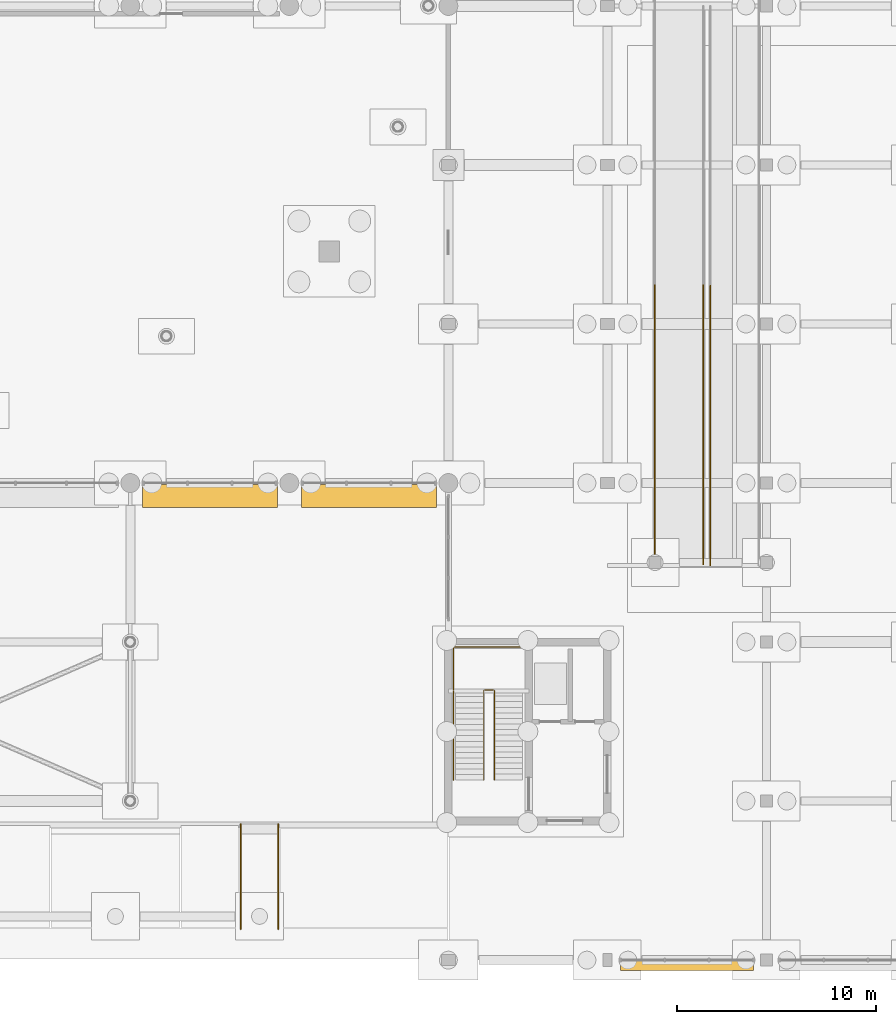
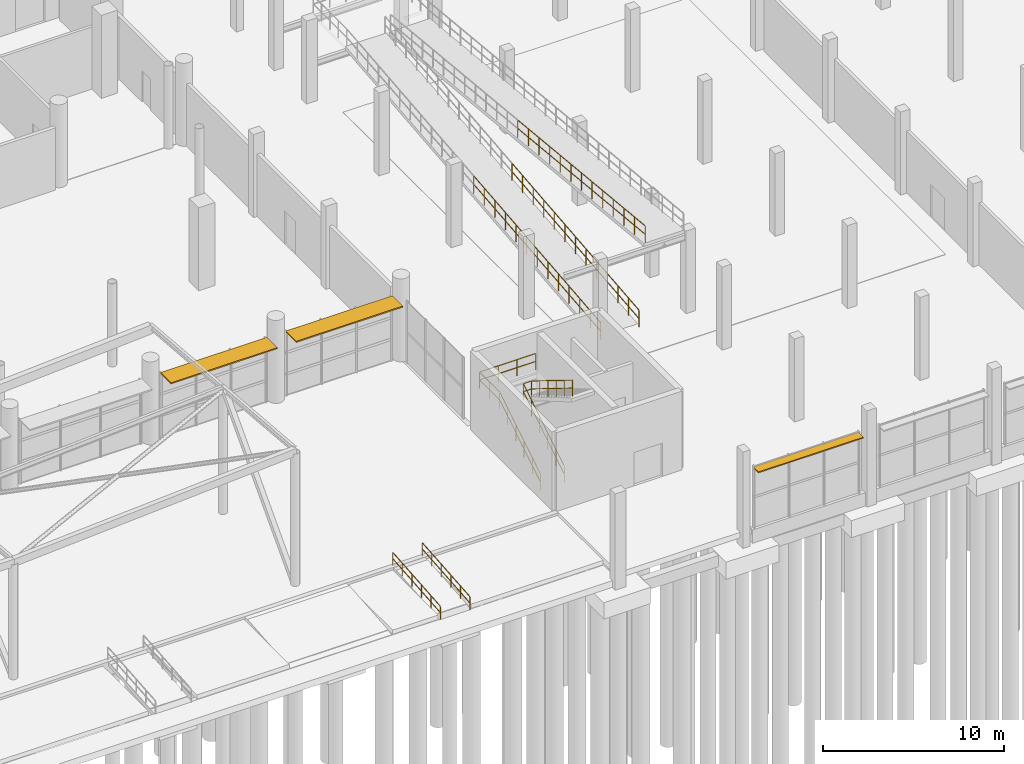
# One storey, part 93 of 98: 7 railings, 3 shading devices.
"""IFC4 building model written with IfcOpenShell, lengths in metres."""

from ifc_helpers import new_model, si_unit, derived_unit, direction, frame, origin, origin_2d, place, context, subcontext, project, spatial, rectangle, circle, extrude, material, material_profile, profile_set, type_object, element, save


model = new_model("IFC4")

# Units and contexts
model_context = context("Model", 3, precision=1e-05, world=origin(), true_north=direction((0.0, 1.0)))
body_context = subcontext(model_context, "Body", "Model", "MODEL_VIEW")
ifc_project = project(units=[si_unit("LENGTHUNIT", "METRE"), si_unit("AREAUNIT", "SQUARE_METRE"), si_unit("VOLUMEUNIT", "CUBIC_METRE"), si_unit("PLANEANGLEUNIT", "RADIAN"), si_unit("MASSUNIT", "GRAM", prefix="KILO"), si_unit("THERMODYNAMICTEMPERATUREUNIT", "KELVIN"), derived_unit("THERMALTRANSMITTANCEUNIT", [(si_unit("POWERUNIT", "WATT"), 1), (si_unit("AREAUNIT", "SQUARE_METRE"), -1), (si_unit("THERMODYNAMICTEMPERATUREUNIT", "KELVIN"), -1)])], contexts=[model_context])

# Site, building, storey
site_placement = place(None, origin())
site = spatial("IfcSite", under=ifc_project, at=site_placement, CompositionType="ELEMENT")
building_placement = place(site_placement, origin())
building = spatial("IfcBuilding", under=site, at=building_placement, Name="Haiyu Intermodal Mobility Hub", CompositionType="ELEMENT")
storey_placement = place(building_placement, origin())
storey = spatial("IfcBuildingStorey", under=building, at=storey_placement, Name="L00", CompositionType="ELEMENT", Elevation=0.0)

# Railings
ifc_material_1 = material(Name="Steel Q355C", Category="steel")
railing_type_1 = type_object("IfcRailingType", Name="RAL-GR03", PredefinedType="GUARDRAIL", material=ifc_material_1)
railing_1_placement = place(storey_placement, frame((164.3798828125, 35.89990234375, 0.0)))
element("IfcRailing", 1, at=railing_1_placement, inside=storey, type_object=railing_type_1, Name="RAL-RMP-BIKE-L00-F1WA", PredefinedType="GUARDRAIL", context=body_context, shape_type="SweptSolid", body=[
    extrude(circle(Radius=0.02392578125, at=origin_2d()), frame((0.0, 0.02978515625, 1.158935546875), z_axis=(0.0, 0.99507290602, 0.099145911191), x_axis=(-1.0, 0.0, 0.0)), (0.0, 0.0, 1.0), 14.0595703125),
    extrude(circle(Radius=0.02392578125, at=origin_2d()), frame((0.0, 0.037109375, 0.59375), z_axis=(0.0, 0.99507290602, 0.099145911191), x_axis=(-1.0, 0.0, 0.0)), (0.0, 0.0, 1.0), 1.10205078125),
    extrude(circle(Radius=0.02392578125, at=origin_2d()), frame((0.0, 1.2080078125, 0.710205078125), z_axis=(0.0, 0.99507290602, 0.099145911191), x_axis=(-1.0, 0.0, 0.0)), (0.0, 0.0, 1.0), 1.10205078125),
    extrude(circle(Radius=0.02392578125, at=origin_2d()), frame((0.0, 2.37890625, 0.826904296875), z_axis=(0.0, 0.99507290602, 0.099145911191), x_axis=(-1.0, 0.0, 0.0)), (0.0, 0.0, 1.0), 1.10205078125),
    extrude(circle(Radius=0.02392578125, at=origin_2d()), frame((0.0, 3.549560546875, 0.943603515625), z_axis=(0.0, 0.99507290602, 0.099145911191), x_axis=(-1.0, 0.0, 0.0)), (0.0, 0.0, 1.0), 1.10205078125),
    extrude(circle(Radius=0.02392578125, at=origin_2d()), frame((0.0, 4.720458984375, 1.060302734375), z_axis=(0.0, 0.99507290602, 0.099145911191), x_axis=(-1.0, 0.0, 0.0)), (0.0, 0.0, 1.0), 1.10205078125),
    extrude(circle(Radius=0.02392578125, at=origin_2d()), frame((0.0, 5.891357421875, 1.177001953125), z_axis=(0.0, 0.99507290602, 0.099145911191), x_axis=(-1.0, 0.0, 0.0)), (0.0, 0.0, 1.0), 1.10205078125),
    extrude(circle(Radius=0.02392578125, at=origin_2d()), frame((0.0, 7.062255859375, 1.293701171875), z_axis=(0.0, 0.99507290602, 0.099145911191), x_axis=(-1.0, 0.0, 0.0)), (0.0, 0.0, 1.0), 1.10205078125),
    extrude(circle(Radius=0.02392578125, at=origin_2d()), frame((0.0, 8.23291015625, 1.41015625), z_axis=(0.0, 0.99507290602, 0.099145911191), x_axis=(-1.0, 0.0, 0.0)), (0.0, 0.0, 1.0), 1.10205078125),
    extrude(circle(Radius=0.02392578125, at=origin_2d()), frame((0.0, 9.40380859375, 1.52685546875), z_axis=(0.0, 0.99507290602, 0.099145911191), x_axis=(-1.0, 0.0, 0.0)), (0.0, 0.0, 1.0), 1.10205078125),
    extrude(circle(Radius=0.02392578125, at=origin_2d()), frame((0.0, 10.57470703125, 1.6435546875), z_axis=(0.0, 0.99507290602, 0.099145911191), x_axis=(-1.0, 0.0, 0.0)), (0.0, 0.0, 1.0), 1.10205078125),
    extrude(circle(Radius=0.02392578125, at=origin_2d()), frame((0.0, 11.74560546875, 1.76025390625), z_axis=(0.0, 0.99507290602, 0.099145911191), x_axis=(-1.0, 0.0, 0.0)), (0.0, 0.0, 1.0), 1.10205078125),
    extrude(circle(Radius=0.02392578125, at=origin_2d()), frame((0.0, 12.916259765625, 1.876953125), z_axis=(0.0, 0.99507290602, 0.099145911191), x_axis=(-1.0, 0.0, 0.0)), (0.0, 0.0, 1.0), 1.10205078125),
    extrude(circle(Radius=0.02099609375, at=origin_2d()), origin(), (0.0, 0.0, 1.0), 1.123779296875),
    extrude(circle(Radius=0.02099609375, at=origin_2d()), frame((0.0, 1.1708984375, 0.11669921875)), (0.0, 0.0, 1.0), 1.123779296875),
    extrude(circle(Radius=0.02099609375, at=origin_2d()), frame((0.0, 2.341796875, 0.2333984375)), (0.0, 0.0, 1.0), 1.123779296875),
    extrude(circle(Radius=0.02099609375, at=origin_2d()), frame((0.0, 3.512451171875, 0.35009765625)), (0.0, 0.0, 1.0), 1.123779296875),
    extrude(circle(Radius=0.02099609375, at=origin_2d()), frame((0.0, 4.683349609375, 0.466552734375)), (0.0, 0.0, 1.0), 1.123779296875),
    extrude(circle(Radius=0.02099609375, at=origin_2d()), frame((0.0, 5.854248046875, 0.583251953125)), (0.0, 0.0, 1.0), 1.123779296875),
    extrude(circle(Radius=0.02099609375, at=origin_2d()), frame((0.0, 7.02490234375, 0.699951171875)), (0.0, 0.0, 1.0), 1.123779296875),
    extrude(circle(Radius=0.02099609375, at=origin_2d()), frame((0.0, 8.19580078125, 0.816650390625)), (0.0, 0.0, 1.0), 1.123779296875),
    extrude(circle(Radius=0.02099609375, at=origin_2d()), frame((0.0, 9.36669921875, 0.933349609375)), (0.0, 0.0, 1.0), 1.123779296875),
    extrude(circle(Radius=0.02099609375, at=origin_2d()), frame((0.0, 10.53759765625, 1.0498046875)), (0.0, 0.0, 1.0), 1.123779296875),
    extrude(circle(Radius=0.02099609375, at=origin_2d()), frame((0.0, 11.70849609375, 1.16650390625)), (0.0, 0.0, 1.0), 1.123779296875),
    extrude(circle(Radius=0.02099609375, at=origin_2d()), frame((0.0, 12.879150390625, 1.283203125)), (0.0, 0.0, 1.0), 1.123779296875),
    extrude(circle(Radius=0.02099609375, at=origin_2d()), frame((0.0, 14.050048828125, 1.39990234375)), (0.0, 0.0, 1.0), 1.123779296875),
])
railing_2_placement = place(storey_placement, frame((166.820068359375, 35.89990234375, 0.0)))
element("IfcRailing", 2, at=railing_2_placement, inside=storey, type_object=railing_type_1, Name="RAL-RMP-BIKE-L00-F1EA", PredefinedType="GUARDRAIL", context=body_context, shape_type="SweptSolid", body=[
    extrude(circle(Radius=0.02392578125, at=origin_2d()), frame((0.0, 0.02978515625, 1.158935546875), z_axis=(0.0, 0.99507290602, 0.099145911191), x_axis=(-1.0, 0.0, 0.0)), (0.0, 0.0, 1.0), 14.0595703125),
    extrude(circle(Radius=0.02392578125, at=origin_2d()), frame((0.0, 0.037109375, 0.59375), z_axis=(0.0, 0.99507290602, 0.099145911191), x_axis=(-1.0, 0.0, 0.0)), (0.0, 0.0, 1.0), 1.10205078125),
    extrude(circle(Radius=0.02392578125, at=origin_2d()), frame((0.0, 1.2080078125, 0.710205078125), z_axis=(0.0, 0.99507290602, 0.099145911191), x_axis=(-1.0, 0.0, 0.0)), (0.0, 0.0, 1.0), 1.10205078125),
    extrude(circle(Radius=0.02392578125, at=origin_2d()), frame((0.0, 2.37890625, 0.826904296875), z_axis=(0.0, 0.99507290602, 0.099145911191), x_axis=(-1.0, 0.0, 0.0)), (0.0, 0.0, 1.0), 1.10205078125),
    extrude(circle(Radius=0.02392578125, at=origin_2d()), frame((0.0, 3.549560546875, 0.943603515625), z_axis=(0.0, 0.99507290602, 0.099145911191), x_axis=(-1.0, 0.0, 0.0)), (0.0, 0.0, 1.0), 1.10205078125),
    extrude(circle(Radius=0.02392578125, at=origin_2d()), frame((0.0, 4.720458984375, 1.060302734375), z_axis=(0.0, 0.99507290602, 0.099145911191), x_axis=(-1.0, 0.0, 0.0)), (0.0, 0.0, 1.0), 1.10205078125),
    extrude(circle(Radius=0.02392578125, at=origin_2d()), frame((0.0, 5.891357421875, 1.177001953125), z_axis=(0.0, 0.99507290602, 0.099145911191), x_axis=(-1.0, 0.0, 0.0)), (0.0, 0.0, 1.0), 1.10205078125),
    extrude(circle(Radius=0.02392578125, at=origin_2d()), frame((0.0, 7.062255859375, 1.293701171875), z_axis=(0.0, 0.99507290602, 0.099145911191), x_axis=(-1.0, 0.0, 0.0)), (0.0, 0.0, 1.0), 1.10205078125),
    extrude(circle(Radius=0.02392578125, at=origin_2d()), frame((0.0, 8.23291015625, 1.41015625), z_axis=(0.0, 0.99507290602, 0.099145911191), x_axis=(-1.0, 0.0, 0.0)), (0.0, 0.0, 1.0), 1.10205078125),
    extrude(circle(Radius=0.02392578125, at=origin_2d()), frame((0.0, 9.40380859375, 1.52685546875), z_axis=(0.0, 0.99507290602, 0.099145911191), x_axis=(-1.0, 0.0, 0.0)), (0.0, 0.0, 1.0), 1.10205078125),
    extrude(circle(Radius=0.02392578125, at=origin_2d()), frame((0.0, 10.57470703125, 1.6435546875), z_axis=(0.0, 0.99507290602, 0.099145911191), x_axis=(-1.0, 0.0, 0.0)), (0.0, 0.0, 1.0), 1.10205078125),
    extrude(circle(Radius=0.02392578125, at=origin_2d()), frame((0.0, 11.74560546875, 1.76025390625), z_axis=(0.0, 0.99507290602, 0.099145911191), x_axis=(-1.0, 0.0, 0.0)), (0.0, 0.0, 1.0), 1.10205078125),
    extrude(circle(Radius=0.02392578125, at=origin_2d()), frame((0.0, 12.916259765625, 1.876953125), z_axis=(0.0, 0.99507290602, 0.099145911191), x_axis=(-1.0, 0.0, 0.0)), (0.0, 0.0, 1.0), 1.10205078125),
    extrude(circle(Radius=0.02099609375, at=origin_2d()), origin(), (0.0, 0.0, 1.0), 1.123779296875),
    extrude(circle(Radius=0.02099609375, at=origin_2d()), frame((0.0, 1.1708984375, 0.11669921875)), (0.0, 0.0, 1.0), 1.123779296875),
    extrude(circle(Radius=0.02099609375, at=origin_2d()), frame((0.0, 2.341796875, 0.2333984375)), (0.0, 0.0, 1.0), 1.123779296875),
    extrude(circle(Radius=0.02099609375, at=origin_2d()), frame((0.0, 3.512451171875, 0.35009765625)), (0.0, 0.0, 1.0), 1.123779296875),
    extrude(circle(Radius=0.02099609375, at=origin_2d()), frame((0.0, 4.683349609375, 0.466552734375)), (0.0, 0.0, 1.0), 1.123779296875),
    extrude(circle(Radius=0.02099609375, at=origin_2d()), frame((0.0, 5.854248046875, 0.583251953125)), (0.0, 0.0, 1.0), 1.123779296875),
    extrude(circle(Radius=0.02099609375, at=origin_2d()), frame((0.0, 7.02490234375, 0.699951171875)), (0.0, 0.0, 1.0), 1.123779296875),
    extrude(circle(Radius=0.02099609375, at=origin_2d()), frame((0.0, 8.19580078125, 0.816650390625)), (0.0, 0.0, 1.0), 1.123779296875),
    extrude(circle(Radius=0.02099609375, at=origin_2d()), frame((0.0, 9.36669921875, 0.933349609375)), (0.0, 0.0, 1.0), 1.123779296875),
    extrude(circle(Radius=0.02099609375, at=origin_2d()), frame((0.0, 10.53759765625, 1.0498046875)), (0.0, 0.0, 1.0), 1.123779296875),
    extrude(circle(Radius=0.02099609375, at=origin_2d()), frame((0.0, 11.70849609375, 1.16650390625)), (0.0, 0.0, 1.0), 1.123779296875),
    extrude(circle(Radius=0.02099609375, at=origin_2d()), frame((0.0, 12.879150390625, 1.283203125)), (0.0, 0.0, 1.0), 1.123779296875),
    extrude(circle(Radius=0.02099609375, at=origin_2d()), frame((0.0, 14.050048828125, 1.39990234375)), (0.0, 0.0, 1.0), 1.123779296875),
])
railing_3_placement = place(storey_placement, frame((167.179931640625, 49.925048828125, 4.199951171875)))
element("IfcRailing", 3, at=railing_3_placement, inside=storey, type_object=railing_type_1, Name="RAL-RMP-BIKE-L00-F2WB", PredefinedType="GUARDRAIL", context=body_context, shape_type="SweptSolid", body=[
    extrude(circle(Radius=0.02392578125, at=origin_2d()), frame((0.0, -0.02978515625, 1.158935546875), z_axis=(0.0, -0.995088497131, 0.098989306882), x_axis=(1.0, 0.0, 0.0)), (0.0, 0.0, 1.0), 14.08447265625),
    extrude(circle(Radius=0.02392578125, at=origin_2d()), frame((0.0, -0.037109375, 0.59375), z_axis=(0.0, -0.995088497131, 0.098989306882), x_axis=(1.0, 0.0, 0.0)), (0.0, 0.0, 1.0), 1.10400390625),
    extrude(circle(Radius=0.02392578125, at=origin_2d()), frame((0.0, -1.2099609375, 0.71044921875), z_axis=(0.0, -0.995088497131, 0.098989306882), x_axis=(1.0, 0.0, 0.0)), (0.0, 0.0, 1.0), 1.10400390625),
    extrude(circle(Radius=0.02392578125, at=origin_2d()), frame((0.0, -2.383056640625, 0.826904296875), z_axis=(0.0, -0.995088497131, 0.098989306882), x_axis=(1.0, 0.0, 0.0)), (0.0, 0.0, 1.0), 1.10400390625),
    extrude(circle(Radius=0.02392578125, at=origin_2d()), frame((0.0, -3.555908203125, 0.943603515625), z_axis=(0.0, -0.995088497131, 0.098989306882), x_axis=(1.0, 0.0, 0.0)), (0.0, 0.0, 1.0), 1.10400390625),
    extrude(circle(Radius=0.02392578125, at=origin_2d()), frame((0.0, -4.728759765625, 1.060302734375), z_axis=(0.0, -0.995088497131, 0.098989306882), x_axis=(1.0, 0.0, 0.0)), (0.0, 0.0, 1.0), 1.10400390625),
    extrude(circle(Radius=0.02392578125, at=origin_2d()), frame((0.0, -5.901611328125, 1.177001953125), z_axis=(0.0, -0.995088497131, 0.098989306882), x_axis=(1.0, 0.0, 0.0)), (0.0, 0.0, 1.0), 1.10400390625),
    extrude(circle(Radius=0.02392578125, at=origin_2d()), frame((0.0, -7.07470703125, 1.293701171875), z_axis=(0.0, -0.995088497131, 0.098989306882), x_axis=(1.0, 0.0, 0.0)), (0.0, 0.0, 1.0), 1.10400390625),
    extrude(circle(Radius=0.02392578125, at=origin_2d()), frame((0.0, -8.24755859375, 1.410400390625), z_axis=(0.0, -0.995088497131, 0.098989306882), x_axis=(1.0, 0.0, 0.0)), (0.0, 0.0, 1.0), 1.10400390625),
    extrude(circle(Radius=0.02392578125, at=origin_2d()), frame((0.0, -9.42041015625, 1.527099609375), z_axis=(0.0, -0.995088497131, 0.098989306882), x_axis=(1.0, 0.0, 0.0)), (0.0, 0.0, 1.0), 1.10400390625),
    extrude(circle(Radius=0.02392578125, at=origin_2d()), frame((0.0, -10.59326171875, 1.643798828125), z_axis=(0.0, -0.995088497131, 0.098989306882), x_axis=(1.0, 0.0, 0.0)), (0.0, 0.0, 1.0), 1.10400390625),
    extrude(circle(Radius=0.02392578125, at=origin_2d()), frame((0.0, -11.766357421875, 1.760498046875), z_axis=(0.0, -0.995088497131, 0.098989306882), x_axis=(1.0, 0.0, 0.0)), (0.0, 0.0, 1.0), 1.10400390625),
    extrude(circle(Radius=0.02392578125, at=origin_2d()), frame((0.0, -12.939208984375, 1.877197265625), z_axis=(0.0, -0.995088497131, 0.098989306882), x_axis=(1.0, 0.0, 0.0)), (0.0, 0.0, 1.0), 1.10400390625),
    extrude(circle(Radius=0.02099609375, at=origin_2d()), origin(), (0.0, 0.0, 1.0), 1.123779296875),
    extrude(circle(Radius=0.02099609375, at=origin_2d()), frame((0.0, -1.1728515625, 0.11669921875)), (0.0, 0.0, 1.0), 1.123779296875),
    extrude(circle(Radius=0.02099609375, at=origin_2d()), frame((0.0, -2.345703125, 0.2333984375)), (0.0, 0.0, 1.0), 1.123779296875),
    extrude(circle(Radius=0.02099609375, at=origin_2d()), frame((0.0, -3.518798828125, 0.35009765625)), (0.0, 0.0, 1.0), 1.123779296875),
    extrude(circle(Radius=0.02099609375, at=origin_2d()), frame((0.0, -4.691650390625, 0.466796875)), (0.0, 0.0, 1.0), 1.123779296875),
    extrude(circle(Radius=0.02099609375, at=origin_2d()), frame((0.0, -5.864501953125, 0.58349609375)), (0.0, 0.0, 1.0), 1.123779296875),
    extrude(circle(Radius=0.02099609375, at=origin_2d()), frame((0.0, -7.03759765625, 0.7001953125)), (0.0, 0.0, 1.0), 1.123779296875),
    extrude(circle(Radius=0.02099609375, at=origin_2d()), frame((0.0, -8.21044921875, 0.816650390625)), (0.0, 0.0, 1.0), 1.123779296875),
    extrude(circle(Radius=0.02099609375, at=origin_2d()), frame((0.0, -9.38330078125, 0.933349609375)), (0.0, 0.0, 1.0), 1.123779296875),
    extrude(circle(Radius=0.02099609375, at=origin_2d()), frame((0.0, -10.55615234375, 1.050048828125)), (0.0, 0.0, 1.0), 1.123779296875),
    extrude(circle(Radius=0.02099609375, at=origin_2d()), frame((0.0, -11.72900390625, 1.166748046875)), (0.0, 0.0, 1.0), 1.123779296875),
    extrude(circle(Radius=0.02099609375, at=origin_2d()), frame((0.0, -12.902099609375, 1.283447265625)), (0.0, 0.0, 1.0), 1.123779296875),
    extrude(circle(Radius=0.02099609375, at=origin_2d()), frame((0.0, -14.074951171875, 1.400146484375)), (0.0, 0.0, 1.0), 1.123779296875),
])
railing_4_placement = place(storey_placement, frame((155.780029296875, 25.050048828125, 0.0)))
element("IfcRailing", 4, at=railing_4_placement, inside=storey, type_object=railing_type_1, Name="Stair Well Guard STR-C8-L00", PredefinedType="GUARDRAIL", context=body_context, shape_type="SweptSolid", body=[
    extrude(circle(Radius=0.02392578125, at=origin_2d()), frame((0.0, 0.025634765625, 1.11181640625), z_axis=(0.0, 0.850622528264, 0.525776867511), x_axis=(-1.0, 0.0, 0.0)), (0.0, 0.0, 1.0), 5.265625),
    extrude(circle(Radius=0.02392578125, at=origin_2d()), frame((0.0, 0.03173828125, 0.57958984375), z_axis=(0.0, 0.850622528264, 0.525776867511), x_axis=(-1.0, 0.0, 0.0)), (0.0, 0.0, 1.0), 0.990478515625),
    extrude(circle(Radius=0.02392578125, at=origin_2d()), frame((0.0, 0.937744140625, 1.1396484375), z_axis=(0.0, 0.850622528264, 0.525776867511), x_axis=(-1.0, 0.0, 0.0)), (0.0, 0.0, 1.0), 0.990478515625),
    extrude(circle(Radius=0.02392578125, at=origin_2d()), frame((0.0, 1.84375, 1.69970703125), z_axis=(0.0, 0.850622528264, 0.525776867511), x_axis=(-1.0, 0.0, 0.0)), (0.0, 0.0, 1.0), 0.990478515625),
    extrude(circle(Radius=0.02392578125, at=origin_2d()), frame((0.0, 2.749755859375, 2.259765625), z_axis=(0.0, 0.850622528264, 0.525776867511), x_axis=(-1.0, 0.0, 0.0)), (0.0, 0.0, 1.0), 0.990478515625),
    extrude(circle(Radius=0.02392578125, at=origin_2d()), frame((0.0, 3.65576171875, 2.81982421875), z_axis=(0.0, 0.850622528264, 0.525776867511), x_axis=(-1.0, 0.0, 0.0)), (0.0, 0.0, 1.0), 0.990478515625),
    extrude(circle(Radius=0.02392578125, at=origin_2d()), frame((0.030029296875, 4.530029296875, 3.89599609375), z_axis=(1.0, 0.0, 0.0), x_axis=(0.0, 1.0, 0.0)), (0.0, 0.0, 1.0), 0.469970703125),
    extrude(circle(Radius=0.02392578125, at=origin_2d()), frame((0.037353515625, 4.530029296875, 3.360107421875), z_axis=(1.0, 0.0, 0.0), x_axis=(0.0, 1.0, 0.0)), (0.0, 0.0, 1.0), 0.455322265625),
    extrude(circle(Radius=0.02392578125, at=origin_2d()), frame((0.530029296875, 4.50439453125, 3.911865234375), z_axis=(0.0, -0.850622528264, 0.525776867511), x_axis=(1.0, 0.0, 0.0)), (0.0, 0.0, 1.0), 5.265625),
    extrude(circle(Radius=0.02392578125, at=origin_2d()), frame((0.530029296875, 4.498291015625, 3.379638671875), z_axis=(0.0, -0.850622528264, 0.525776867511), x_axis=(1.0, 0.0, 0.0)), (0.0, 0.0, 1.0), 0.990478515625),
    extrude(circle(Radius=0.02392578125, at=origin_2d()), frame((0.530029296875, 3.59228515625, 3.939697265625), z_axis=(0.0, -0.850622528264, 0.525776867511), x_axis=(1.0, 0.0, 0.0)), (0.0, 0.0, 1.0), 0.990478515625),
    extrude(circle(Radius=0.02392578125, at=origin_2d()), frame((0.530029296875, 2.686279296875, 4.499755859375), z_axis=(0.0, -0.850622528264, 0.525776867511), x_axis=(1.0, 0.0, 0.0)), (0.0, 0.0, 1.0), 0.990478515625),
    extrude(circle(Radius=0.02392578125, at=origin_2d()), frame((0.530029296875, 1.7802734375, 5.059814453125), z_axis=(0.0, -0.850622528264, 0.525776867511), x_axis=(1.0, 0.0, 0.0)), (0.0, 0.0, 1.0), 0.990478515625),
    extrude(circle(Radius=0.02392578125, at=origin_2d()), frame((0.530029296875, 0.874267578125, 5.619873046875), z_axis=(0.0, -0.850622528264, 0.525776867511), x_axis=(1.0, 0.0, 0.0)), (0.0, 0.0, 1.0), 0.990478515625),
    extrude(circle(Radius=0.02099609375, at=origin_2d()), origin(), (0.0, 0.0, 1.0), 1.06396484375),
    extrude(circle(Radius=0.02099609375, at=origin_2d()), frame((0.0, 0.906005859375, 0.56005859375)), (0.0, 0.0, 1.0), 1.06396484375),
    extrude(circle(Radius=0.02099609375, at=origin_2d()), frame((0.0, 1.81201171875, 1.1201171875)), (0.0, 0.0, 1.0), 1.06396484375),
    extrude(circle(Radius=0.02099609375, at=origin_2d()), frame((0.0, 2.718017578125, 1.679931640625)), (0.0, 0.0, 1.0), 1.06396484375),
    extrude(circle(Radius=0.02099609375, at=origin_2d()), frame((0.0, 3.6240234375, 2.239990234375)), (0.0, 0.0, 1.0), 1.06396484375),
    extrude(circle(Radius=0.02099609375, at=origin_2d()), frame((0.0, 4.530029296875, 2.800048828125)), (0.0, 0.0, 1.0), 1.06396484375),
    extrude(circle(Radius=0.02099609375, at=origin_2d()), frame((0.530029296875, 4.530029296875, 2.800048828125)), (0.0, 0.0, 1.0), 1.06396484375),
    extrude(circle(Radius=0.02099609375, at=origin_2d()), frame((0.530029296875, 3.6240234375, 3.360107421875)), (0.0, 0.0, 1.0), 1.06396484375),
    extrude(circle(Radius=0.02099609375, at=origin_2d()), frame((0.530029296875, 2.718017578125, 3.920166015625)), (0.0, 0.0, 1.0), 1.06396484375),
    extrude(circle(Radius=0.02099609375, at=origin_2d()), frame((0.530029296875, 1.81201171875, 4.47998046875)), (0.0, 0.0, 1.0), 1.06396484375),
    extrude(circle(Radius=0.02099609375, at=origin_2d()), frame((0.530029296875, 0.906005859375, 5.0400390625)), (0.0, 0.0, 1.0), 1.06396484375),
    extrude(circle(Radius=0.02099609375, at=origin_2d()), frame((0.530029296875, 0.0, 5.60009765625)), (0.0, 0.0, 1.0), 1.06396484375),
])
railing_5_placement = place(storey_placement, frame((154.25, 25.050048828125, 0.0)))
element("IfcRailing", 5, at=railing_5_placement, inside=storey, type_object=railing_type_1, Name="Stair Outer Guard STR-C8-L00", PredefinedType="GUARDRAIL", context=body_context, shape_type="SweptSolid", body=[
    extrude(circle(Radius=0.02392578125, at=origin_2d()), frame((0.0, 0.025390625, 1.112060546875), z_axis=(0.0, 0.847993111587, 0.530007247782), x_axis=(-1.0, 0.0, 0.0)), (0.0, 0.0, 1.0), 5.22314453125),
    extrude(circle(Radius=0.02392578125, at=origin_2d()), frame((0.0, 0.03173828125, 0.579833984375), z_axis=(0.0, 0.847993111587, 0.530007247782), x_axis=(-1.0, 0.0, 0.0)), (0.0, 0.0, 1.0), 0.98193359375),
    extrude(circle(Radius=0.02392578125, at=origin_2d()), frame((0.0, 0.927734375, 1.139892578125), z_axis=(0.0, 0.847993111587, 0.530007247782), x_axis=(-1.0, 0.0, 0.0)), (0.0, 0.0, 1.0), 0.98193359375),
    extrude(circle(Radius=0.02392578125, at=origin_2d()), frame((0.0, 1.82373046875, 1.699951171875), z_axis=(0.0, 0.847993111587, 0.530007247782), x_axis=(-1.0, 0.0, 0.0)), (0.0, 0.0, 1.0), 0.98193359375),
    extrude(circle(Radius=0.02392578125, at=origin_2d()), frame((0.0, 2.7197265625, 2.259765625), z_axis=(0.0, 0.847993111587, 0.530007247782), x_axis=(-1.0, 0.0, 0.0)), (0.0, 0.0, 1.0), 0.98193359375),
    extrude(circle(Radius=0.02392578125, at=origin_2d()), frame((0.0, 3.61572265625, 2.81982421875), z_axis=(0.0, 0.847993111587, 0.530007247782), x_axis=(-1.0, 0.0, 0.0)), (0.0, 0.0, 1.0), 0.98193359375),
    extrude(circle(Radius=0.02392578125, at=origin_2d()), frame((0.0, 4.510009765625, 3.89599609375), z_axis=(0.0, 1.0, 0.0), x_axis=(-1.0, 0.0, 0.0)), (0.0, 0.0, 1.0), 2.169921875),
    extrude(circle(Radius=0.02392578125, at=origin_2d()), frame((0.0, 4.517333984375, 3.360107421875), z_axis=(0.0, 1.0, 0.0), x_axis=(-1.0, 0.0, 0.0)), (0.0, 0.0, 1.0), 1.040283203125),
    extrude(circle(Radius=0.02392578125, at=origin_2d()), frame((0.0, 5.63232421875, 3.360107421875), z_axis=(0.0, 1.0, 0.0), x_axis=(-1.0, 0.0, 0.0)), (0.0, 0.0, 1.0), 1.040283203125),
    extrude(circle(Radius=0.02392578125, at=origin_2d()), frame((0.030029296875, 6.7099609375, 3.89599609375), z_axis=(1.0, 0.0, 0.0), x_axis=(0.0, 1.0, 0.0)), (0.0, 0.0, 1.0), 3.52001953125),
    extrude(circle(Radius=0.02392578125, at=origin_2d()), frame((0.037353515625, 6.7099609375, 3.360107421875), z_axis=(1.0, 0.0, 0.0), x_axis=(0.0, 1.0, 0.0)), (0.0, 0.0, 1.0), 1.11865234375),
    extrude(circle(Radius=0.02392578125, at=origin_2d()), frame((1.230712890625, 6.7099609375, 3.360107421875), z_axis=(1.0, 0.0, 0.0), x_axis=(0.0, 1.0, 0.0)), (0.0, 0.0, 1.0), 1.11865234375),
    extrude(circle(Radius=0.02392578125, at=origin_2d()), frame((2.424072265625, 6.7099609375, 3.360107421875), z_axis=(1.0, 0.0, 0.0), x_axis=(0.0, 1.0, 0.0)), (0.0, 0.0, 1.0), 1.11865234375),
    extrude(circle(Radius=0.02099609375, at=origin_2d()), origin(), (0.0, 0.0, 1.0), 1.06396484375),
    extrude(circle(Radius=0.02099609375, at=origin_2d()), frame((0.0, 0.89599609375, 0.56005859375)), (0.0, 0.0, 1.0), 1.06396484375),
    extrude(circle(Radius=0.02099609375, at=origin_2d()), frame((0.0, 1.7919921875, 1.1201171875)), (0.0, 0.0, 1.0), 1.06396484375),
    extrude(circle(Radius=0.02099609375, at=origin_2d()), frame((0.0, 2.68798828125, 1.679931640625)), (0.0, 0.0, 1.0), 1.06396484375),
    extrude(circle(Radius=0.02099609375, at=origin_2d()), frame((0.0, 3.583984375, 2.239990234375)), (0.0, 0.0, 1.0), 1.06396484375),
    extrude(circle(Radius=0.02099609375, at=origin_2d()), frame((0.0, 4.47998046875, 2.800048828125)), (0.0, 0.0, 1.0), 1.06396484375),
    extrude(circle(Radius=0.02099609375, at=origin_2d()), frame((0.0, 5.594970703125, 2.800048828125)), (0.0, 0.0, 1.0), 1.06396484375),
    extrude(circle(Radius=0.02099609375, at=origin_2d()), frame((0.0, 6.7099609375, 2.800048828125)), (0.0, 0.0, 1.0), 1.06396484375),
    extrude(circle(Radius=0.02099609375, at=origin_2d()), frame((1.193359375, 6.7099609375, 2.800048828125)), (0.0, 0.0, 1.0), 1.06396484375),
    extrude(circle(Radius=0.02099609375, at=origin_2d()), frame((2.38671875, 6.7099609375, 2.800048828125)), (0.0, 0.0, 1.0), 1.06396484375),
    extrude(circle(Radius=0.02099609375, at=origin_2d()), frame((3.580078125, 6.7099609375, 2.800048828125)), (0.0, 0.0, 1.0), 1.06396484375),
])
railing_type_2 = type_object("IfcRailingType", Name="RAL-HR02", PredefinedType="HANDRAIL", material=ifc_material_1)
railing_6_placement = place(storey_placement, frame((143.56005859375, 17.56005859375, -0.449951171875)))
element("IfcRailing", 6, at=railing_6_placement, inside=storey, type_object=railing_type_2, Name="RAL-ACC-02-W", PredefinedType="HANDRAIL", context=body_context, shape_type="SweptSolid", body=[
    extrude(circle(Radius=0.02392578125, at=origin_2d()), frame((0.0, 0.02978515625, 0.87841796875), z_axis=(0.0, 0.99638864189, 0.084909801036), x_axis=(-1.0, 0.0, 0.0)), (0.0, 0.0, 1.0), 5.2392578125),
    extrude(circle(Radius=0.02392578125, at=origin_2d()), frame((0.0, 0.037109375, 0.453125), z_axis=(0.0, 0.99638864189, 0.084909801036), x_axis=(-1.0, 0.0, 0.0)), (0.0, 0.0, 1.0), 0.9853515625),
    extrude(circle(Radius=0.02392578125, at=origin_2d()), frame((0.0, 1.09326171875, 0.543212890625), z_axis=(0.0, 0.99638864189, 0.084909801036), x_axis=(-1.0, 0.0, 0.0)), (0.0, 0.0, 1.0), 0.9853515625),
    extrude(circle(Radius=0.02392578125, at=origin_2d()), frame((0.0, 2.149169921875, 0.633056640625), z_axis=(0.0, 0.99638864189, 0.084909801036), x_axis=(-1.0, 0.0, 0.0)), (0.0, 0.0, 1.0), 0.9853515625),
    extrude(circle(Radius=0.02392578125, at=origin_2d()), frame((0.0, 3.205078125, 0.72314453125), z_axis=(0.0, 0.99638864189, 0.084909801036), x_axis=(-1.0, 0.0, 0.0)), (0.0, 0.0, 1.0), 0.9853515625),
    extrude(circle(Radius=0.02392578125, at=origin_2d()), frame((0.0, 4.26123046875, 0.81298828125), z_axis=(0.0, 0.99638864189, 0.084909801036), x_axis=(-1.0, 0.0, 0.0)), (0.0, 0.0, 1.0), 0.9853515625),
    extrude(circle(Radius=0.02099609375, at=origin_2d()), origin(), (0.0, 0.0, 1.0), 0.84375),
    extrude(circle(Radius=0.02099609375, at=origin_2d()), frame((0.0, 1.055908203125, 0.090087890625)), (0.0, 0.0, 1.0), 0.84375),
    extrude(circle(Radius=0.02099609375, at=origin_2d()), frame((0.0, 2.112060546875, 0.179931640625)), (0.0, 0.0, 1.0), 0.84375),
    extrude(circle(Radius=0.02099609375, at=origin_2d()), frame((0.0, 3.16796875, 0.27001953125)), (0.0, 0.0, 1.0), 0.84375),
    extrude(circle(Radius=0.02099609375, at=origin_2d()), frame((0.0, 4.22412109375, 0.35986328125)), (0.0, 0.0, 1.0), 0.84375),
    extrude(circle(Radius=0.02099609375, at=origin_2d()), frame((0.0, 5.280029296875, 0.449951171875)), (0.0, 0.0, 1.0), 0.84375),
])
railing_7_placement = place(storey_placement, frame((145.43994140625, 17.56005859375, -0.449951171875)))
element("IfcRailing", 7, at=railing_7_placement, inside=storey, type_object=railing_type_2, Name="RAL-ACC-02-E", PredefinedType="HANDRAIL", context=body_context, shape_type="SweptSolid", body=[
    extrude(circle(Radius=0.02392578125, at=origin_2d()), frame((0.0, 0.02978515625, 0.87841796875), z_axis=(0.0, 0.99638864189, 0.084909801036), x_axis=(-1.0, 0.0, 0.0)), (0.0, 0.0, 1.0), 5.2392578125),
    extrude(circle(Radius=0.02392578125, at=origin_2d()), frame((0.0, 0.037109375, 0.453125), z_axis=(0.0, 0.99638864189, 0.084909801036), x_axis=(-1.0, 0.0, 0.0)), (0.0, 0.0, 1.0), 0.9853515625),
    extrude(circle(Radius=0.02392578125, at=origin_2d()), frame((0.0, 1.09326171875, 0.543212890625), z_axis=(0.0, 0.99638864189, 0.084909801036), x_axis=(-1.0, 0.0, 0.0)), (0.0, 0.0, 1.0), 0.9853515625),
    extrude(circle(Radius=0.02392578125, at=origin_2d()), frame((0.0, 2.149169921875, 0.633056640625), z_axis=(0.0, 0.99638864189, 0.084909801036), x_axis=(-1.0, 0.0, 0.0)), (0.0, 0.0, 1.0), 0.9853515625),
    extrude(circle(Radius=0.02392578125, at=origin_2d()), frame((0.0, 3.205078125, 0.72314453125), z_axis=(0.0, 0.99638864189, 0.084909801036), x_axis=(-1.0, 0.0, 0.0)), (0.0, 0.0, 1.0), 0.9853515625),
    extrude(circle(Radius=0.02392578125, at=origin_2d()), frame((0.0, 4.26123046875, 0.81298828125), z_axis=(0.0, 0.99638864189, 0.084909801036), x_axis=(-1.0, 0.0, 0.0)), (0.0, 0.0, 1.0), 0.9853515625),
    extrude(circle(Radius=0.02099609375, at=origin_2d()), origin(), (0.0, 0.0, 1.0), 0.84375),
    extrude(circle(Radius=0.02099609375, at=origin_2d()), frame((0.0, 1.055908203125, 0.090087890625)), (0.0, 0.0, 1.0), 0.84375),
    extrude(circle(Radius=0.02099609375, at=origin_2d()), frame((0.0, 2.112060546875, 0.179931640625)), (0.0, 0.0, 1.0), 0.84375),
    extrude(circle(Radius=0.02099609375, at=origin_2d()), frame((0.0, 3.16796875, 0.27001953125)), (0.0, 0.0, 1.0), 0.84375),
    extrude(circle(Radius=0.02099609375, at=origin_2d()), frame((0.0, 4.22412109375, 0.35986328125)), (0.0, 0.0, 1.0), 0.84375),
    extrude(circle(Radius=0.02099609375, at=origin_2d()), frame((0.0, 5.280029296875, 0.449951171875)), (0.0, 0.0, 1.0), 0.84375),
])

# Shading devices
ifc_material_2 = material(Name="Anodised aluminium 6063-T6", Category="aluminium")
ifc_material_profile = material_profile(ifc_material_2, rectangle(XDim=0.080078125, YDim=0.449951171875, at=origin_2d()), Name="FIN80x450")
ifc_profile_set = profile_set([ifc_material_profile], Name="Anodised aluminium 6063-T6")
shading_device_type = type_object("IfcShadingDeviceType", Name="SHD-SD01", PredefinedType="JALOUSIE", material=ifc_profile_set)
for number, where, z_axis, x_axis, name in (
    (8, (142.0, 39.35009765625, 4.3076171875), (0.0, 0.0, 1.0), (1.0, 0.0, 0.0), "SHD-V1S-009"),
    (9, (150.0, 39.35009765625, 4.3076171875), (0.0, 0.0, 1.0), (1.0, 0.0, 0.0), "SHD-V1S-010"),
):
    element("IfcShadingDevice", number, at=place(storey_placement, frame(where, z_axis=z_axis, x_axis=x_axis)), inside=storey, type_object=shading_device_type, Name=name, PredefinedType="JALOUSIE", context=body_context, shape_type="SweptSolid", body=[
        extrude(rectangle(XDim=6.800048828125, YDim=1.14990234375, at=origin_2d()), origin(), (0.0, 0.0, 1.0), 0.0849609375),
    ])
shading_device_placement = place(storey_placement, frame((166.0, 15.75, 4.0126953125), z_axis=(0.0, 0.0, 1.0), x_axis=(1.0, 0.0, 0.0)))
element("IfcShadingDevice", 10, at=shading_device_placement, inside=storey, type_object=shading_device_type, Name="SHD-V5S-011", PredefinedType="JALOUSIE", context=body_context, shape_type="SweptSolid", body=[
    extrude(rectangle(XDim=6.699951171875, YDim=0.550048828125, at=origin_2d()), origin(), (0.0, 0.0, 1.0), 0.074951171875),
])

save(model, "model.ifc")
